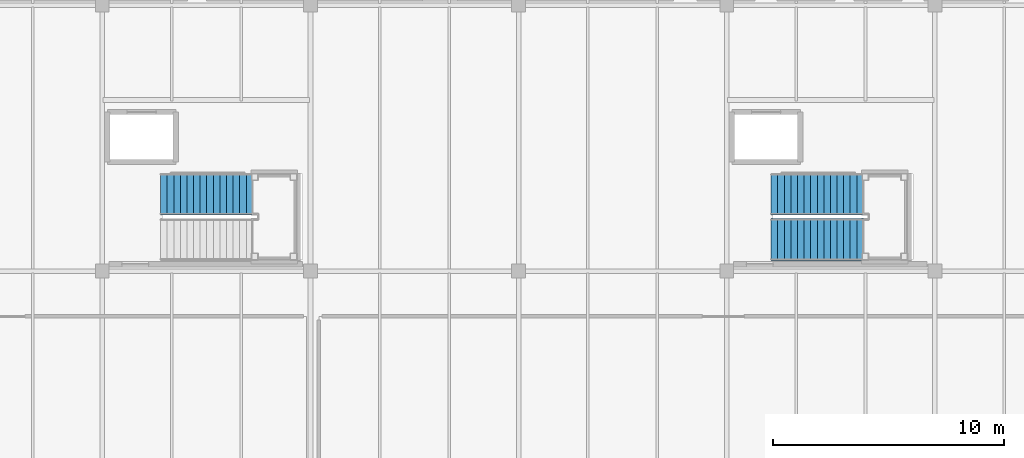
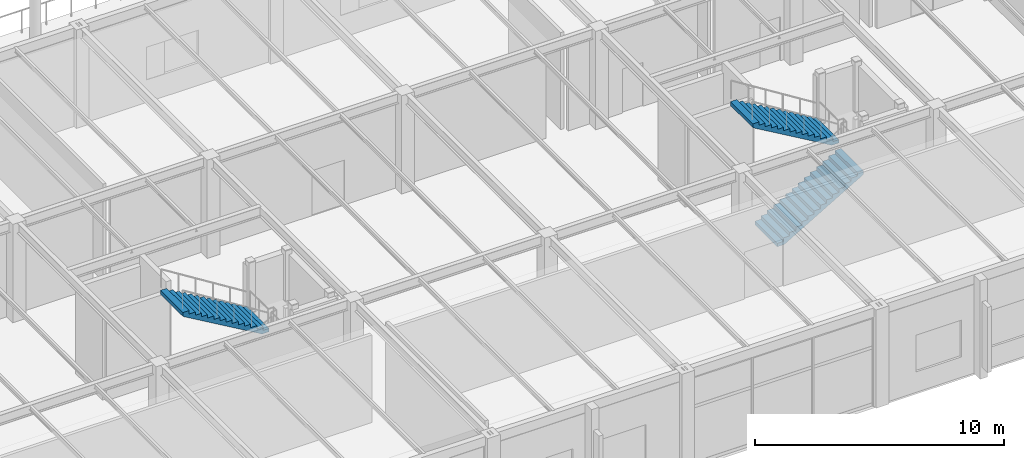
# One storey, part 91 of 143: 3 stair flights, 2 elements without a shape of their own.
"""IFC4 building model written with IfcOpenShell, lengths in metres."""

from ifc_helpers import new_model, si_unit, direction, frame, origin, place, context, subcontext, project, spatial, polyline, outline, extrude, material, type_object, element, aggregate, save


model = new_model("IFC4")

# Units and contexts
model_context = context("Model", 3, precision=1e-05, world=origin(), true_north=direction((0.0, 1.0)))
body_context = subcontext(model_context, "Body", "Model", "MODEL_VIEW")
ifc_project = project(units=[si_unit("LENGTHUNIT", "METRE"), si_unit("AREAUNIT", "SQUARE_METRE"), si_unit("VOLUMEUNIT", "CUBIC_METRE"), si_unit("PLANEANGLEUNIT", "RADIAN"), si_unit("MASSUNIT", "GRAM", prefix="KILO")], contexts=[model_context])

# Site, building, storey
site_placement = place(None, origin())
site = spatial("IfcSite", under=ifc_project, at=site_placement, CompositionType="ELEMENT")
building_placement = place(site_placement, origin())
building = spatial("IfcBuilding", under=site, at=building_placement, Name="Marlcrest Central Station", CompositionType="ELEMENT")
storey_placement = place(building_placement, frame((0.0, 0.0, 4.800048828125)))
storey = spatial("IfcBuildingStorey", under=building, at=storey_placement, Name="L01", CompositionType="ELEMENT", Elevation=4.800048828125)

# Stair, stair flight
ifc_material = material(Name="Concrete C35/45", Category="concrete")
stair_type = type_object("IfcStairType", Name="ST-HTS", PredefinedType="HALF_TURN_STAIR", material=ifc_material)
stair_1_placement = place(storey_placement, origin())
stair_1 = element("IfcStair", 1, at=stair_1_placement, inside=storey, type_object=stair_type, Name="ST-R11", PredefinedType="HALF_TURN_STAIR")
stair_flight_type = type_object("IfcStairFlightType", Name="SF-180", PredefinedType="STRAIGHT", material=ifc_material)
stair_flight_1_placement = place(storey_placement, frame((177.510009765625, 14.330078125, 2.5), z_axis=(0.0, 0.0, 1.0), x_axis=(-1.0, 0.0, 0.0)))
stair_flight_1 = element("IfcStairFlight", 2, at=stair_flight_1_placement, type_object=stair_flight_type, Name="ST-R11-F2", NumberOfRisers=15, NumberOfTreads=14, PredefinedType="STRAIGHT", RiserHeight=0.166666667, TreadLength=0.285, context=body_context, shape_type="SweptSolid", body=[
    extrude(outline(polyline([(0.0, 0.0), (0.0, 0.166748046875), (0.284912109375, 0.166748046875), (0.284912109375, 0.333251953125), (0.570068359375, 0.333251953125), (0.570068359375, 0.5), (0.85498046875, 0.5), (0.85498046875, 0.666748046875), (1.139892578125, 0.666748046875), (1.139892578125, 0.833251953125), (1.425048828125, 0.833251953125), (1.425048828125, 1.0), (1.7099609375, 1.0), (1.7099609375, 1.166748046875), (1.9951171875, 1.166748046875), (1.9951171875, 1.333251953125), (2.280029296875, 1.333251953125), (2.280029296875, 1.5), (2.56494140625, 1.5), (2.56494140625, 1.666748046875), (2.85009765625, 1.666748046875), (2.85009765625, 1.833251953125), (3.135009765625, 1.833251953125), (3.135009765625, 2.0), (3.419921875, 2.0), (3.419921875, 2.166748046875), (3.705078125, 2.166748046875), (3.705078125, 2.333251953125), (3.989990234375, 2.333251953125), (3.989990234375, 2.5), (3.989990234375, 2.14208984375), (0.326904296875, 0.0), (0.0, 0.0)])), frame((0.0, 0.89990234375, 0.0), z_axis=(0.0, -1.0, 0.0), x_axis=(1.0, 0.0, 0.0)), (0.0, 0.0, 1.0), 1.800048828125),
])
aggregate(stair_1, [stair_flight_1])

# Stair, stair flights
stair_2_placement = place(storey_placement, origin())
stair_2 = element("IfcStair", 3, at=stair_2_placement, inside=storey, type_object=stair_type, Name="ST-R21", PredefinedType="HALF_TURN_STAIR")
stair_flight_2_placement = place(storey_placement, frame((199.919921875, 12.3701171875, 0.0), z_axis=(0.0, 0.0, 1.0), x_axis=(1.0, 0.0, 0.0)))
stair_flight_2 = element("IfcStairFlight", 4, at=stair_flight_2_placement, type_object=stair_flight_type, Name="ST-R21-F1", NumberOfRisers=15, NumberOfTreads=14, PredefinedType="STRAIGHT", RiserHeight=0.166666667, TreadLength=0.285, context=body_context, shape_type="SweptSolid", body=[
    extrude(outline(polyline([(0.0, 0.0), (0.0, 0.166748046875), (0.284912109375, 0.166748046875), (0.284912109375, 0.333251953125), (0.570068359375, 0.333251953125), (0.570068359375, 0.5), (0.85498046875, 0.5), (0.85498046875, 0.666748046875), (1.139892578125, 0.666748046875), (1.139892578125, 0.833251953125), (1.425048828125, 0.833251953125), (1.425048828125, 1.0), (1.7099609375, 1.0), (1.7099609375, 1.166748046875), (1.9951171875, 1.166748046875), (1.9951171875, 1.333251953125), (2.280029296875, 1.333251953125), (2.280029296875, 1.5), (2.56494140625, 1.5), (2.56494140625, 1.666748046875), (2.85009765625, 1.666748046875), (2.85009765625, 1.833251953125), (3.135009765625, 1.833251953125), (3.135009765625, 2.0), (3.419921875, 2.0), (3.419921875, 2.166748046875), (3.705078125, 2.166748046875), (3.705078125, 2.333251953125), (3.989990234375, 2.333251953125), (3.989990234375, 2.5), (3.989990234375, 2.14208984375), (0.326904296875, 0.0), (0.0, 0.0)])), frame((0.0, 0.89990234375, 0.0), z_axis=(0.0, -1.0, 0.0), x_axis=(1.0, 0.0, 0.0)), (0.0, 0.0, 1.0), 1.800048828125),
])
stair_flight_3_placement = place(storey_placement, frame((203.909912109375, 14.330078125, 2.5), z_axis=(0.0, 0.0, 1.0), x_axis=(-1.0, 0.0, 0.0)))
stair_flight_3 = element("IfcStairFlight", 5, at=stair_flight_3_placement, type_object=stair_flight_type, Name="ST-R21-F2", NumberOfRisers=15, NumberOfTreads=14, PredefinedType="STRAIGHT", RiserHeight=0.166666667, TreadLength=0.285, context=body_context, shape_type="SweptSolid", body=[
    extrude(outline(polyline([(0.0, 0.0), (0.0, 0.166748046875), (0.284912109375, 0.166748046875), (0.284912109375, 0.333251953125), (0.570068359375, 0.333251953125), (0.570068359375, 0.5), (0.85498046875, 0.5), (0.85498046875, 0.666748046875), (1.139892578125, 0.666748046875), (1.139892578125, 0.833251953125), (1.425048828125, 0.833251953125), (1.425048828125, 1.0), (1.7099609375, 1.0), (1.7099609375, 1.166748046875), (1.9951171875, 1.166748046875), (1.9951171875, 1.333251953125), (2.280029296875, 1.333251953125), (2.280029296875, 1.5), (2.56494140625, 1.5), (2.56494140625, 1.666748046875), (2.85009765625, 1.666748046875), (2.85009765625, 1.833251953125), (3.135009765625, 1.833251953125), (3.135009765625, 2.0), (3.419921875, 2.0), (3.419921875, 2.166748046875), (3.705078125, 2.166748046875), (3.705078125, 2.333251953125), (3.989990234375, 2.333251953125), (3.989990234375, 2.5), (3.989990234375, 2.14208984375), (0.326904296875, 0.0), (0.0, 0.0)])), frame((0.0, 0.89990234375, 0.0), z_axis=(0.0, -1.0, 0.0), x_axis=(1.0, 0.0, 0.0)), (0.0, 0.0, 1.0), 1.800048828125),
])
aggregate(stair_2, [stair_flight_2, stair_flight_3])

save(model, "model.ifc")
